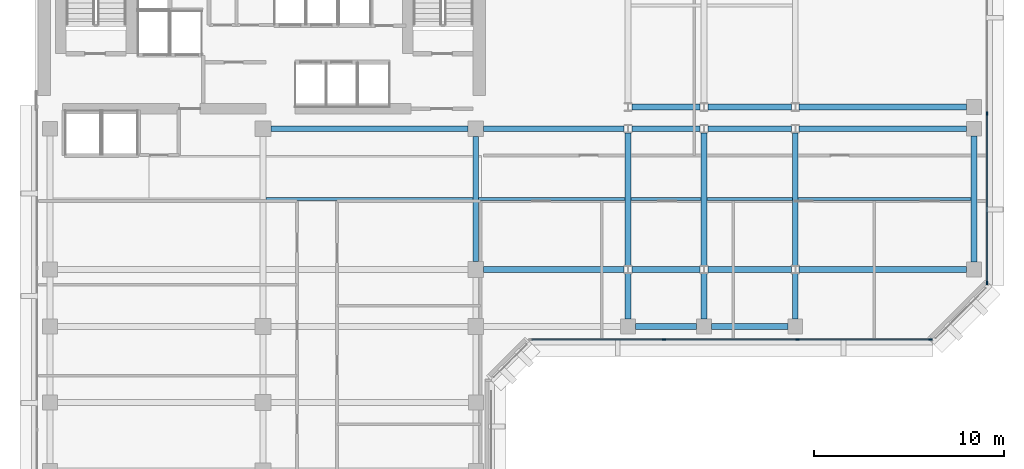
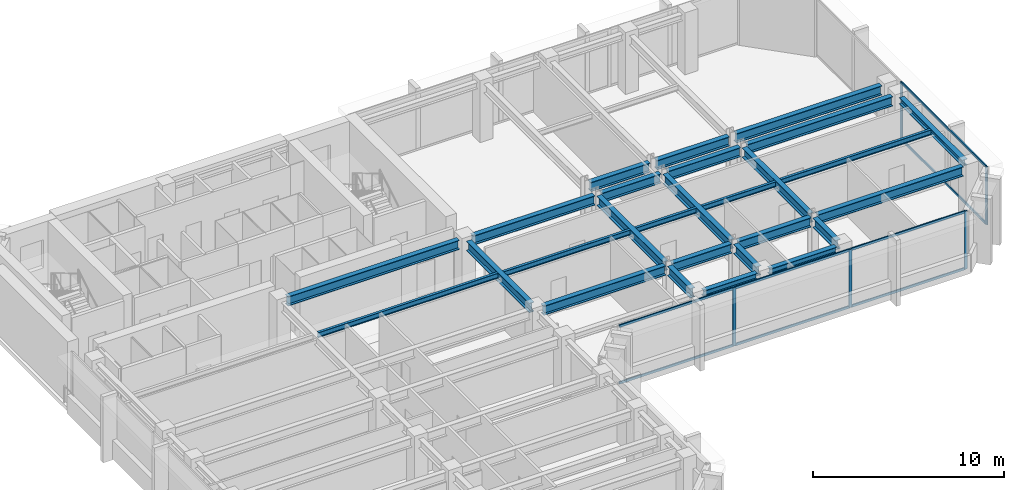
# One storey, part 3 of 12: 27 beams, 13 members, 2 elements without a shape of their own.
"""IFC4 building model written with IfcOpenShell, lengths in metres."""

import ifcopenshell
import ifcopenshell.guid

model = None  # the IFC model being written
_history = None  # IfcOwnerHistory: only IFC2X3 demands one
_inside = {}  # id of a spatial element -> (the spatial element, [elements in it])
_under = {}  # id of a project, library or spatial element -> (it, [spatial elements below it])
_declared = {}  # id of a project -> (the project, [libraries it declares])
_typed = {}  # id of a type object -> (the type object, [elements of that type])
_made_of = {}  # id of a material, layer set ... -> (it, [elements and type objects made of it])


def new_model(schema):
    """Start an empty IFC model of exactly this schema.

    Asked for "IFC4X3", IfcOpenShell would pick the latest addendum, in which some entities
    have other attributes; the version numbers below select the first issue.
    IFC2X3 requires an IfcOwnerHistory on every rooted entity: one is made here for all.
    """
    global model, _history
    if schema == "IFC4X3":
        model = ifcopenshell.file(schema_version=(4, 3, 0, 0))
    else:
        model = ifcopenshell.file(schema=schema)
    _inside.clear()
    _under.clear()
    _declared.clear()
    _typed.clear()
    _made_of.clear()
    _history = None
    if model.schema == "IFC2X3":
        org = make("IfcOrganization", Name="unknown")
        user = make(
            "IfcPersonAndOrganization",
            ThePerson=make("IfcPerson", FamilyName="unknown"),
            TheOrganization=org,
        )
        app = make(
            "IfcApplication",
            ApplicationDeveloper=org,
            Version="unknown",
            ApplicationFullName="unknown",
            ApplicationIdentifier="unknown",
        )
        _history = make(
            "IfcOwnerHistory",
            OwningUser=user,
            OwningApplication=app,
            ChangeAction="ADDED",
            CreationDate=0,
        )
    return model


def make(cls, **values):
    """One entity of the class cls with the attributes given. An attribute that is None is left unset."""
    return model.create_entity(
        cls, **{name: value for name, value in values.items() if value is not None}
    )


def rooted(cls, **values):
    """An entity with a GlobalId (a new one), such as an element, a storey or a relation."""
    return make(cls, GlobalId=ifcopenshell.guid.new(), OwnerHistory=_history, **values)


def si_unit(unit_type, name, prefix=None):
    """IfcSIUnit, for example si_unit("LENGTHUNIT", "METRE", prefix="MILLI")."""
    return make("IfcSIUnit", UnitType=unit_type, Prefix=prefix, Name=name)


def assignment(units):
    """IfcUnitAssignment: the units of a project."""
    return None if units is None else make("IfcUnitAssignment", Units=units)


def point(xyz):
    """IfcCartesianPoint."""
    return None if xyz is None else make("IfcCartesianPoint", Coordinates=xyz)


def direction(xyz):
    """IfcDirection."""
    return None if xyz is None else make("IfcDirection", DirectionRatios=xyz)


def frame(location, z_axis=None, x_axis=None):
    """IfcAxis2Placement3D, a coordinate frame: its origin and axes. An axis left out is left unset."""
    return make(
        "IfcAxis2Placement3D",
        Location=point(location),
        Axis=direction(z_axis),
        RefDirection=direction(x_axis),
    )


def frame_2d(location, x_axis=None):
    """IfcAxis2Placement2D, a coordinate frame in the plane: its origin and x axis."""
    return make(
        "IfcAxis2Placement2D", Location=point(location), RefDirection=direction(x_axis)
    )


def origin():
    """The frame at (0, 0, 0) with its axes left unset."""
    return frame((0.0, 0.0, 0.0))


def origin_2d():
    """The frame at (0, 0) in the plane with its x axis left unset."""
    return frame_2d((0.0, 0.0))


def place(relative_to, where):
    """IfcLocalPlacement: puts the frame where relative to a parent placement (None: the world)."""
    return make(
        "IfcLocalPlacement", PlacementRelTo=relative_to, RelativePlacement=where
    )


def context(
    kind, dimensions, precision=None, world=None, true_north=None, identifier=None
):
    """IfcGeometricRepresentationContext, for example the 3D "Model" context."""
    return make(
        "IfcGeometricRepresentationContext",
        ContextIdentifier=identifier,
        ContextType=kind,
        CoordinateSpaceDimension=dimensions,
        Precision=precision,
        WorldCoordinateSystem=world,
        TrueNorth=true_north,
    )


def subcontext(parent, identifier, kind, view, scale=None):
    """IfcGeometricRepresentationSubContext, for example "Body" below "Model"."""
    return make(
        "IfcGeometricRepresentationSubContext",
        ContextIdentifier=identifier,
        ContextType=kind,
        ParentContext=parent,
        TargetScale=scale,
        TargetView=view,
    )


def project(units=None, contexts=None):
    """IfcProject with its units and contexts."""
    return rooted(
        "IfcProject",
        Name="project",
        RepresentationContexts=contexts,
        UnitsInContext=assignment(units),
    )


def spatial(cls, under=None, at=None, **own):
    """A site, building, storey or space (cls), placed at a placement, below another one or the project."""
    s = rooted(cls, ObjectPlacement=at, **own)
    if under is not None:
        _under.setdefault(under.id(), (under, []))[1].append(s)
    return s


def profile(cls, at=None, kind="AREA", **sizes):
    """A parametric profile (cls). Its sizes go by their IFC names, for example OverallWidth=200.0."""
    return make(cls, ProfileType=kind, Position=at, **sizes)


def rectangle(**sizes):
    """IfcRectangleProfileDef."""
    return profile("IfcRectangleProfileDef", **sizes)


def i_section(**sizes):
    """IfcIShapeProfileDef."""
    return profile("IfcIShapeProfileDef", **sizes)


def extrude(swept, where, along, depth):
    """IfcExtrudedAreaSolid: the profile swept, set in the frame where, extruded along a direction by depth."""
    return make(
        "IfcExtrudedAreaSolid",
        SweptArea=swept,
        Position=where,
        ExtrudedDirection=direction(along),
        Depth=depth,
    )


def shape(context_of_items, identifier, shape_type, items):
    """IfcShapeRepresentation: the items that make up one representation, for example the "Body"."""
    return make(
        "IfcShapeRepresentation",
        ContextOfItems=context_of_items,
        RepresentationIdentifier=identifier,
        RepresentationType=shape_type,
        Items=items,
    )


def material(Name=None, Category=None):
    """IfcMaterial."""
    return make("IfcMaterial", Name=Name, Category=Category)


def layer(
    of_material, thickness, ventilated=None, Name=None, Category=None, Priority=None
):
    """IfcMaterialLayer: one layer of a wall or slab, of a material (None: an air gap)."""
    return make(
        "IfcMaterialLayer",
        Material=of_material,
        LayerThickness=thickness,
        IsVentilated=ventilated,
        Name=Name,
        Category=Category,
        Priority=Priority,
    )


def layer_set(layers, Name=None):
    """IfcMaterialLayerSet."""
    return make("IfcMaterialLayerSet", MaterialLayers=layers, LayerSetName=Name)


def material_profile(
    of_material, cross_section, Name=None, Category=None, Priority=None
):
    """IfcMaterialProfile: a cross section and its material."""
    return make(
        "IfcMaterialProfile",
        Name=Name,
        Material=of_material,
        Profile=cross_section,
        Priority=Priority,
        Category=Category,
    )


def profile_set(profiles, Name=None, composite=None):
    """IfcMaterialProfileSet."""
    return make(
        "IfcMaterialProfileSet",
        Name=Name,
        MaterialProfiles=profiles,
        CompositeProfile=composite,
    )


def made_of(thing, what):
    """Note that an element or type object is made of a material, layer set ...; save() writes the relation."""
    if what is not None:
        _made_of.setdefault(what.id(), (what, []))[1].append(thing)
    return thing


def type_object(cls, material=None, **own):
    """A type object (cls), such as IfcWallType, which elements share."""
    return made_of(rooted(cls, **own), material)


def element(
    cls,
    number,
    at=None,
    inside=None,
    cuts=None,
    type_object=None,
    material=None,
    context=None,
    identifier="Body",
    shape_type=None,
    held_by="IfcProductDefinitionShape",
    body=None,
    shapes=None,
    **own,
):
    """One element of the class cls, such as IfcWall. Its Tag is "e" and its number.

    at: its placement. inside: the storey or other place that contains it. cuts: it is an
    opening in that element (IfcRelVoidsElement). A single representation is given by context,
    identifier, shape_type and body (its items); several are given by shapes. held_by: the class
    of the entity that holds the representations. save() writes the other relations.
    """
    e = rooted(cls, Tag="e%d" % number, ObjectPlacement=at, **own)
    if body is not None:
        shapes = [shape(context, identifier, shape_type, body)]
    if shapes is not None:
        e.Representation = make(held_by, Representations=shapes)
    if inside is not None:
        _inside.setdefault(inside.id(), (inside, []))[1].append(e)
    if cuts is not None:
        rooted(
            "IfcRelVoidsElement", RelatingBuildingElement=cuts, RelatedOpeningElement=e
        )
    if type_object is not None:
        _typed.setdefault(type_object.id(), (type_object, []))[1].append(e)
    return made_of(e, material)


def aggregate(whole, parts):
    """IfcRelAggregates: a whole, such as a stair, and the parts it consists of."""
    return rooted("IfcRelAggregates", RelatingObject=whole, RelatedObjects=parts)


def save(model, path):
    """Write the relations noted so far, then the file.

    IfcRelAggregates (storeys below a building ...), IfcRelContainedInSpatialStructure (elements
    in a storey), IfcRelDefinesByType, IfcRelAssociatesMaterial and IfcRelDeclares: one each for
    every whole, place, type object, material and project.
    """
    for whole, parts in _under.values():
        aggregate(whole, parts)
    for where, things in _inside.values():
        rooted(
            "IfcRelContainedInSpatialStructure",
            RelatedElements=things,
            RelatingStructure=where,
        )
    for kind, things in _typed.values():
        rooted("IfcRelDefinesByType", RelatedObjects=things, RelatingType=kind)
    for what, things in _made_of.values():
        rooted("IfcRelAssociatesMaterial", RelatedObjects=things, RelatingMaterial=what)
    for by, libraries in _declared.values():
        rooted("IfcRelDeclares", RelatingContext=by, RelatedDefinitions=libraries)
    model.write(path)


model = new_model("IFC4")

# Units and contexts
model_context = context("Model", 3, precision=1e-05, world=origin(), true_north=direction((0.0, 1.0)))
body_context = subcontext(model_context, "Body", "Model", "MODEL_VIEW")
ifc_project = project(units=[si_unit("LENGTHUNIT", "METRE"), si_unit("AREAUNIT", "SQUARE_METRE"), si_unit("VOLUMEUNIT", "CUBIC_METRE"), si_unit("PLANEANGLEUNIT", "RADIAN"), si_unit("MASSUNIT", "GRAM", prefix="KILO")], contexts=[model_context])

# Site, building, storey
site_placement = place(None, origin())
site = spatial("IfcSite", under=ifc_project, at=site_placement, CompositionType="ELEMENT")
building_placement = place(site_placement, origin())
building = spatial("IfcBuilding", under=site, at=building_placement, Name="Kefirva Bronze Tower", CompositionType="ELEMENT")
storey_placement = place(building_placement, frame((0.0, 0.0, 211.199951171875)))
storey = spatial("IfcBuildingStorey", under=building, at=storey_placement, Name="L51", CompositionType="ELEMENT", Elevation=211.199951171875)

# Curtain wall, members
ifc_material_1 = material(Name="Bronze anodised aluminium", Category="aluminium")
ifc_layer = layer(ifc_material_1, 0.179931640625, Name="Bronze anodised aluminium")
ifc_layer_set = layer_set([ifc_layer], Name="Bronze anodised aluminium")
curtain_wall_type = type_object("IfcCurtainWallType", Name="Unitised Bronze Ribbon Curtain Wall Zone 3", PredefinedType="USERDEFINED", material=ifc_layer_set)
curtain_wall_1_placement = place(storey_placement, origin())
curtain_wall_1 = element("IfcCurtainWall", 1, at=curtain_wall_1_placement, inside=storey, type_object=curtain_wall_type, Name="L51 Curtain Wall 1", ObjectType="UNITISED CURTAIN WALL", PredefinedType="USERDEFINED")
ifc_material_profile_1 = material_profile(ifc_material_1, rectangle(XDim=0.074951171875, YDim=0.179931640625, at=origin_2d()), Name="ALU 75x180")
ifc_profile_set_1 = profile_set([ifc_material_profile_1], Name="Bronze anodised aluminium")
member_type_1 = type_object("IfcMemberType", Name="Bronze Mullion 75x180", PredefinedType="MULLION", material=ifc_profile_set_1)
member_1_placement = place(storey_placement, frame((33.0849609375, 22.1201171875, 0.0), z_axis=(0.0, 0.0, 1.0), x_axis=(0.0, 1.0, 0.0)))
member_1 = element("IfcMember", 2, at=member_1_placement, type_object=member_type_1, Name="CW-03 mullion 2", PredefinedType="MULLION", context=body_context, shape_type="SweptSolid", body=[
    extrude(rectangle(XDim=0.074951171875, YDim=0.179931640625, at=origin_2d()), origin(), (0.0, 0.0, 1.0), 3.7099609375),
])
member_2_placement = place(storey_placement, frame((40.114990234375, 22.1201171875, 0.0), z_axis=(0.0, 0.0, 1.0), x_axis=(0.0, 1.0, 0.0)))
member_2 = element("IfcMember", 3, at=member_2_placement, type_object=member_type_1, Name="CW-03 mullion 3", PredefinedType="MULLION", context=body_context, shape_type="SweptSolid", body=[
    extrude(rectangle(XDim=0.074951171875, YDim=0.179931640625, at=origin_2d()), origin(), (0.0, 0.0, 1.0), 3.7099609375),
])
member_3_placement = place(storey_placement, frame((47.107421875, 22.1201171875, 0.0), z_axis=(0.0, 0.0, 1.0), x_axis=(0.0, 1.0, 0.0)))
member_3 = element("IfcMember", 4, at=member_3_placement, type_object=member_type_1, Name="CW-03 mullion 4", PredefinedType="MULLION", context=body_context, shape_type="SweptSolid", body=[
    extrude(rectangle(XDim=0.074951171875, YDim=0.179931640625, at=origin_2d()), origin(), (0.0, 0.0, 1.0), 3.7099609375),
])

curtain_wall_2_placement = place(storey_placement, origin())
curtain_wall_2 = element("IfcCurtainWall", 5, at=curtain_wall_2_placement, inside=storey, type_object=curtain_wall_type, Name="L51 Curtain Wall 2", ObjectType="UNITISED CURTAIN WALL", PredefinedType="USERDEFINED")
member_4_placement = place(storey_placement, frame((50.080078125, 25.092529296875, 0.0), z_axis=(0.0, 0.0, 1.0), x_axis=(-1.0, 0.0, 0.0)))
member_4 = element("IfcMember", 6, at=member_4_placement, type_object=member_type_1, Name="CW-03 mullion 1", PredefinedType="MULLION", context=body_context, shape_type="SweptSolid", body=[
    extrude(rectangle(XDim=0.074951171875, YDim=0.179931640625, at=origin_2d()), origin(), (0.0, 0.0, 1.0), 3.7099609375),
])
member_5_placement = place(storey_placement, frame((50.080078125, 34.0, 0.0), z_axis=(0.0, 0.0, 1.0), x_axis=(-1.0, 0.0, 0.0)))
member_5 = element("IfcMember", 7, at=member_5_placement, type_object=member_type_1, Name="CW-03 mullion 2", PredefinedType="MULLION", context=body_context, shape_type="SweptSolid", body=[
    extrude(rectangle(XDim=0.074951171875, YDim=0.179931640625, at=origin_2d()), origin(), (0.0, 0.0, 1.0), 3.7099609375),
])

# Member
ifc_material_profile_2 = material_profile(ifc_material_1, rectangle(XDim=0.074951171875, YDim=0.14990234375, at=origin_2d()), Name="ALU 75x150")
ifc_profile_set_2 = profile_set([ifc_material_profile_2], Name="Bronze anodised aluminium")
member_type_2 = type_object("IfcMemberType", Name="Bronze Transom 75x150", PredefinedType="USERDEFINED", material=ifc_profile_set_2)
member_6_placement = place(storey_placement, frame((26.1298828125, 22.1201171875, 0.03759765625), z_axis=(1.0, 0.0, 0.0), x_axis=(0.0, 1.0, 0.0)))
member_6 = element("IfcMember", 8, at=member_6_placement, type_object=member_type_2, Name="CW-03 transom 1.1", ObjectType="TRANSOM", PredefinedType="USERDEFINED", context=body_context, shape_type="SweptSolid", body=[
    extrude(rectangle(XDim=0.074951171875, YDim=0.14990234375, at=origin_2d()), origin(), (0.0, 0.0, 1.0), 6.917724609375),
])

member_7_placement = place(storey_placement, frame((26.1298828125, 22.1201171875, 3.672607421875), z_axis=(1.0, 0.0, 0.0), x_axis=(0.0, 1.0, 0.0)))
member_7 = element("IfcMember", 9, at=member_7_placement, type_object=member_type_2, Name="CW-03 transom 1.2", ObjectType="TRANSOM", PredefinedType="USERDEFINED", context=body_context, shape_type="SweptSolid", body=[
    extrude(rectangle(XDim=0.074951171875, YDim=0.14990234375, at=origin_2d()), origin(), (0.0, 0.0, 1.0), 6.917724609375),
])

member_8_placement = place(storey_placement, frame((33.12255859375, 22.1201171875, 0.03759765625), z_axis=(1.0, 0.0, 0.0), x_axis=(0.0, 1.0, 0.0)))
member_8 = element("IfcMember", 10, at=member_8_placement, type_object=member_type_2, Name="CW-03 transom 2.1", ObjectType="TRANSOM", PredefinedType="USERDEFINED", context=body_context, shape_type="SweptSolid", body=[
    extrude(rectangle(XDim=0.074951171875, YDim=0.14990234375, at=origin_2d()), origin(), (0.0, 0.0, 1.0), 6.954833984375),
])

member_9_placement = place(storey_placement, frame((33.12255859375, 22.1201171875, 3.672607421875), z_axis=(1.0, 0.0, 0.0), x_axis=(0.0, 1.0, 0.0)))
member_9 = element("IfcMember", 11, at=member_9_placement, type_object=member_type_2, Name="CW-03 transom 2.2", ObjectType="TRANSOM", PredefinedType="USERDEFINED", context=body_context, shape_type="SweptSolid", body=[
    extrude(rectangle(XDim=0.074951171875, YDim=0.14990234375, at=origin_2d()), origin(), (0.0, 0.0, 1.0), 6.954833984375),
])

member_10_placement = place(storey_placement, frame((40.152587890625, 22.1201171875, 0.03759765625), z_axis=(1.0, 0.0, 0.0), x_axis=(0.0, 1.0, 0.0)))
member_10 = element("IfcMember", 12, at=member_10_placement, type_object=member_type_2, Name="CW-03 transom 3.1", ObjectType="TRANSOM", PredefinedType="USERDEFINED", context=body_context, shape_type="SweptSolid", body=[
    extrude(rectangle(XDim=0.074951171875, YDim=0.14990234375, at=origin_2d()), origin(), (0.0, 0.0, 1.0), 6.91748046875),
])

member_11_placement = place(storey_placement, frame((40.152587890625, 22.1201171875, 3.672607421875), z_axis=(1.0, 0.0, 0.0), x_axis=(0.0, 1.0, 0.0)))
member_11 = element("IfcMember", 13, at=member_11_placement, type_object=member_type_2, Name="CW-03 transom 3.2", ObjectType="TRANSOM", PredefinedType="USERDEFINED", context=body_context, shape_type="SweptSolid", body=[
    extrude(rectangle(XDim=0.074951171875, YDim=0.14990234375, at=origin_2d()), origin(), (0.0, 0.0, 1.0), 6.91748046875),
])

aggregate(curtain_wall_1, [member_1, member_2, member_3, member_6, member_7, member_8, member_9, member_10, member_11])

member_12_placement = place(storey_placement, frame((50.080078125, 25.1298828125, 0.03759765625), z_axis=(0.0, 1.0, 0.0), x_axis=(-1.0, 0.0, 0.0)))
member_12 = element("IfcMember", 14, at=member_12_placement, type_object=member_type_2, Name="CW-03 transom 1.1", ObjectType="TRANSOM", PredefinedType="USERDEFINED", context=body_context, shape_type="SweptSolid", body=[
    extrude(rectangle(XDim=0.074951171875, YDim=0.14990234375, at=origin_2d()), origin(), (0.0, 0.0, 1.0), 8.83251953125),
])

member_13_placement = place(storey_placement, frame((50.080078125, 25.1298828125, 3.672607421875), z_axis=(0.0, 1.0, 0.0), x_axis=(-1.0, 0.0, 0.0)))
member_13 = element("IfcMember", 15, at=member_13_placement, type_object=member_type_2, Name="CW-03 transom 1.2", ObjectType="TRANSOM", PredefinedType="USERDEFINED", context=body_context, shape_type="SweptSolid", body=[
    extrude(rectangle(XDim=0.074951171875, YDim=0.14990234375, at=origin_2d()), origin(), (0.0, 0.0, 1.0), 8.83251953125),
])

aggregate(curtain_wall_2, [member_4, member_5, member_12, member_13])

# Beams
ifc_material_2 = material(Name="Steel S355", Category="steel")
ifc_material_profile_3 = material_profile(ifc_material_2, i_section(OverallWidth=0.159912109375, OverallDepth=0.330078125, WebThickness=0.007568359375, FlangeThickness=0.011474609375, at=origin_2d()), Name="IPE 330")
ifc_profile_set_3 = profile_set([ifc_material_profile_3], Name="Steel S355")
beam_type_1 = type_object("IfcBeamType", Name="Steel Floor Joist IPE 330", PredefinedType="JOIST", material=ifc_profile_set_3)
beam_1_placement = place(storey_placement, frame((12.14990234375, 29.5, 3.545166015625), z_axis=(1.0, 0.0, 0.0), x_axis=(0.0, 1.0, 0.0)))
element("IfcBeam", 16, at=beam_1_placement, inside=storey, type_object=beam_type_1, Name="L51 JST-L51-12-295", PredefinedType="JOIST", context=body_context, shape_type="SweptSolid", body=[
    extrude(i_section(OverallWidth=0.159912109375, OverallDepth=0.330078125, WebThickness=0.007568359375, FlangeThickness=0.011474609375, at=origin_2d()), origin(), (0.0, 0.0, 1.0), 10.900146484375),
])
beam_2_placement = place(storey_placement, frame((23.35009765625, 29.5, 3.51513671875), z_axis=(1.0, 0.0, 0.0), x_axis=(0.0, 1.0, 0.0)))
element("IfcBeam", 17, at=beam_2_placement, inside=storey, type_object=beam_type_1, Name="L51 JST-L51-23-295", PredefinedType="JOIST", context=body_context, shape_type="SweptSolid", body=[
    extrude(i_section(OverallWidth=0.159912109375, OverallDepth=0.330078125, WebThickness=0.007568359375, FlangeThickness=0.011474609375, at=origin_2d()), origin(), (0.0, 0.0, 1.0), 7.699951171875),
])
beam_3_placement = place(storey_placement, frame((31.35009765625, 29.5, 3.51513671875), z_axis=(1.0, 0.0, 0.0), x_axis=(0.0, 1.0, 0.0)))
element("IfcBeam", 18, at=beam_3_placement, inside=storey, type_object=beam_type_1, Name="L51 JST-L51-31-295", PredefinedType="JOIST", context=body_context, shape_type="SweptSolid", body=[
    extrude(i_section(OverallWidth=0.159912109375, OverallDepth=0.330078125, WebThickness=0.007568359375, FlangeThickness=0.011474609375, at=origin_2d()), origin(), (0.0, 0.0, 1.0), 3.699951171875),
])
beam_4_placement = place(storey_placement, frame((35.35009765625, 29.5, 3.51513671875), z_axis=(1.0, 0.0, 0.0), x_axis=(0.0, 1.0, 0.0)))
element("IfcBeam", 19, at=beam_4_placement, inside=storey, type_object=beam_type_1, Name="L51 JST-L51-35-295", PredefinedType="JOIST", context=body_context, shape_type="SweptSolid", body=[
    extrude(i_section(OverallWidth=0.159912109375, OverallDepth=0.330078125, WebThickness=0.007568359375, FlangeThickness=0.011474609375, at=origin_2d()), origin(), (0.0, 0.0, 1.0), 4.5),
])
beam_5_placement = place(storey_placement, frame((40.14990234375, 29.5, 3.545166015625), z_axis=(1.0, 0.0, 0.0), x_axis=(0.0, 1.0, 0.0)))
element("IfcBeam", 20, at=beam_5_placement, inside=storey, type_object=beam_type_1, Name="L51 JST-L51-40-295", PredefinedType="JOIST", context=body_context, shape_type="SweptSolid", body=[
    extrude(i_section(OverallWidth=0.159912109375, OverallDepth=0.330078125, WebThickness=0.007568359375, FlangeThickness=0.011474609375, at=origin_2d()), origin(), (0.0, 0.0, 1.0), 9.10009765625),
])
ifc_material_profile_4 = material_profile(ifc_material_2, i_section(OverallWidth=0.300048828125, OverallDepth=0.60009765625, WebThickness=0.015380859375, FlangeThickness=0.030029296875, at=origin_2d()), Name="HEB 600")
ifc_profile_set_4 = profile_set([ifc_material_profile_4], Name="Steel S355")
beam_type_2 = type_object("IfcBeamType", Name="Steel Girder HEB 600", PredefinedType="USERDEFINED", material=ifc_profile_set_4)
beam_6_placement = place(storey_placement, frame((23.610107421875, 25.800048828125, 3.380126953125), z_axis=(1.0, 0.0, 0.0), x_axis=(0.0, 1.0, 0.0)))
element("IfcBeam", 21, at=beam_6_placement, inside=storey, type_object=beam_type_2, Name="L51 BM-L51-EW-23-258", ObjectType="GIRDER", PredefinedType="USERDEFINED", context=body_context, shape_type="SweptSolid", body=[
    extrude(i_section(OverallWidth=0.300048828125, OverallDepth=0.60009765625, WebThickness=0.015380859375, FlangeThickness=0.030029296875, at=origin_2d()), origin(), (0.0, 0.0, 1.0), 7.3837890625),
])
beam_7_placement = place(storey_placement, frame((31.406005859375, 25.800048828125, 3.380126953125), z_axis=(1.0, 0.0, 0.0), x_axis=(0.0, 1.0, 0.0)))
element("IfcBeam", 22, at=beam_7_placement, inside=storey, type_object=beam_type_2, Name="L51 BM-L51-EW-31-258", ObjectType="GIRDER", PredefinedType="USERDEFINED", context=body_context, shape_type="SweptSolid", body=[
    extrude(i_section(OverallWidth=0.300048828125, OverallDepth=0.60009765625, WebThickness=0.015380859375, FlangeThickness=0.030029296875, at=origin_2d()), origin(), (0.0, 0.0, 1.0), 3.587890625),
])
beam_8_placement = place(storey_placement, frame((35.406005859375, 25.800048828125, 3.380126953125), z_axis=(1.0, 0.0, 0.0), x_axis=(0.0, 1.0, 0.0)))
element("IfcBeam", 23, at=beam_8_placement, inside=storey, type_object=beam_type_2, Name="L51 BM-L51-EW-35-258", ObjectType="GIRDER", PredefinedType="USERDEFINED", context=body_context, shape_type="SweptSolid", body=[
    extrude(i_section(OverallWidth=0.300048828125, OverallDepth=0.60009765625, WebThickness=0.015380859375, FlangeThickness=0.030029296875, at=origin_2d()), origin(), (0.0, 0.0, 1.0), 4.387939453125),
])
beam_9_placement = place(storey_placement, frame((40.2060546875, 25.800048828125, 3.41015625), z_axis=(1.0, 0.0, 0.0), x_axis=(0.0, 1.0, 0.0)))
element("IfcBeam", 24, at=beam_9_placement, inside=storey, type_object=beam_type_2, Name="L51 BM-L51-EW-40-258", ObjectType="GIRDER", PredefinedType="USERDEFINED", context=body_context, shape_type="SweptSolid", body=[
    extrude(i_section(OverallWidth=0.300048828125, OverallDepth=0.60009765625, WebThickness=0.015380859375, FlangeThickness=0.030029296875, at=origin_2d()), origin(), (0.0, 0.0, 1.0), 8.803955078125),
])
beam_10_placement = place(storey_placement, frame((12.409912109375, 33.199951171875, 3.41015625), z_axis=(1.0, 0.0, 0.0), x_axis=(0.0, 1.0, 0.0)))
element("IfcBeam", 25, at=beam_10_placement, inside=storey, type_object=beam_type_2, Name="L51 BM-L51-EW-12-332", ObjectType="GIRDER", PredefinedType="USERDEFINED", context=body_context, shape_type="SweptSolid", body=[
    extrude(i_section(OverallWidth=0.300048828125, OverallDepth=0.60009765625, WebThickness=0.015380859375, FlangeThickness=0.030029296875, at=origin_2d()), origin(), (0.0, 0.0, 1.0), 10.380126953125),
])
beam_11_placement = place(storey_placement, frame((23.610107421875, 33.199951171875, 3.380126953125), z_axis=(1.0, 0.0, 0.0), x_axis=(0.0, 1.0, 0.0)))
element("IfcBeam", 26, at=beam_11_placement, inside=storey, type_object=beam_type_2, Name="L51 BM-L51-EW-23-332", ObjectType="GIRDER", PredefinedType="USERDEFINED", context=body_context, shape_type="SweptSolid", body=[
    extrude(i_section(OverallWidth=0.300048828125, OverallDepth=0.60009765625, WebThickness=0.015380859375, FlangeThickness=0.030029296875, at=origin_2d()), origin(), (0.0, 0.0, 1.0), 7.3837890625),
])
beam_12_placement = place(storey_placement, frame((31.406005859375, 33.199951171875, 3.380126953125), z_axis=(1.0, 0.0, 0.0), x_axis=(0.0, 1.0, 0.0)))
element("IfcBeam", 27, at=beam_12_placement, inside=storey, type_object=beam_type_2, Name="L51 BM-L51-EW-31-332", ObjectType="GIRDER", PredefinedType="USERDEFINED", context=body_context, shape_type="SweptSolid", body=[
    extrude(i_section(OverallWidth=0.300048828125, OverallDepth=0.60009765625, WebThickness=0.015380859375, FlangeThickness=0.030029296875, at=origin_2d()), origin(), (0.0, 0.0, 1.0), 3.587890625),
])
beam_13_placement = place(storey_placement, frame((35.406005859375, 33.199951171875, 3.380126953125), z_axis=(1.0, 0.0, 0.0), x_axis=(0.0, 1.0, 0.0)))
element("IfcBeam", 28, at=beam_13_placement, inside=storey, type_object=beam_type_2, Name="L51 BM-L51-EW-35-332", ObjectType="GIRDER", PredefinedType="USERDEFINED", context=body_context, shape_type="SweptSolid", body=[
    extrude(i_section(OverallWidth=0.300048828125, OverallDepth=0.60009765625, WebThickness=0.015380859375, FlangeThickness=0.030029296875, at=origin_2d()), origin(), (0.0, 0.0, 1.0), 4.387939453125),
])
beam_14_placement = place(storey_placement, frame((40.2060546875, 33.199951171875, 3.41015625), z_axis=(1.0, 0.0, 0.0), x_axis=(0.0, 1.0, 0.0)))
element("IfcBeam", 29, at=beam_14_placement, inside=storey, type_object=beam_type_2, Name="L51 BM-L51-EW-40-332", ObjectType="GIRDER", PredefinedType="USERDEFINED", context=body_context, shape_type="SweptSolid", body=[
    extrude(i_section(OverallWidth=0.300048828125, OverallDepth=0.60009765625, WebThickness=0.015380859375, FlangeThickness=0.030029296875, at=origin_2d()), origin(), (0.0, 0.0, 1.0), 8.803955078125),
])
beam_15_placement = place(storey_placement, frame((31.406005859375, 34.35009765625, 3.380126953125), z_axis=(1.0, 0.0, 0.0), x_axis=(0.0, 1.0, 0.0)))
element("IfcBeam", 30, at=beam_15_placement, inside=storey, type_object=beam_type_2, Name="L51 BM-L51-EW-31-344", ObjectType="GIRDER", PredefinedType="USERDEFINED", context=body_context, shape_type="SweptSolid", body=[
    extrude(i_section(OverallWidth=0.300048828125, OverallDepth=0.60009765625, WebThickness=0.015380859375, FlangeThickness=0.030029296875, at=origin_2d()), origin(), (0.0, 0.0, 1.0), 3.587890625),
])
beam_16_placement = place(storey_placement, frame((35.406005859375, 34.35009765625, 3.380126953125), z_axis=(1.0, 0.0, 0.0), x_axis=(0.0, 1.0, 0.0)))
element("IfcBeam", 31, at=beam_16_placement, inside=storey, type_object=beam_type_2, Name="L51 BM-L51-EW-35-344", ObjectType="GIRDER", PredefinedType="USERDEFINED", context=body_context, shape_type="SweptSolid", body=[
    extrude(i_section(OverallWidth=0.300048828125, OverallDepth=0.60009765625, WebThickness=0.015380859375, FlangeThickness=0.030029296875, at=origin_2d()), origin(), (0.0, 0.0, 1.0), 4.387939453125),
])
beam_17_placement = place(storey_placement, frame((40.2060546875, 34.35009765625, 3.41015625), z_axis=(1.0, 0.0, 0.0), x_axis=(0.0, 1.0, 0.0)))
element("IfcBeam", 32, at=beam_17_placement, inside=storey, type_object=beam_type_2, Name="L51 BM-L51-EW-40-344", ObjectType="GIRDER", PredefinedType="USERDEFINED", context=body_context, shape_type="SweptSolid", body=[
    extrude(i_section(OverallWidth=0.300048828125, OverallDepth=0.60009765625, WebThickness=0.015380859375, FlangeThickness=0.030029296875, at=origin_2d()), origin(), (0.0, 0.0, 1.0), 8.803955078125),
])
beam_18_placement = place(storey_placement, frame((23.199951171875, 26.2099609375, 3.41015625), z_axis=(0.0, 1.0, 0.0), x_axis=(-1.0, 0.0, 0.0)))
element("IfcBeam", 33, at=beam_18_placement, inside=storey, type_object=beam_type_2, Name="L51 BM-L51-NS-232-25", ObjectType="GIRDER", PredefinedType="USERDEFINED", context=body_context, shape_type="SweptSolid", body=[
    extrude(i_section(OverallWidth=0.300048828125, OverallDepth=0.60009765625, WebThickness=0.015380859375, FlangeThickness=0.030029296875, at=origin_2d()), origin(), (0.0, 0.0, 1.0), 6.580078125),
])
beam_19_placement = place(storey_placement, frame((31.199951171875, 23.18994140625, 3.380126953125), z_axis=(0.0, 1.0, 0.0), x_axis=(-1.0, 0.0, 0.0)))
element("IfcBeam", 34, at=beam_19_placement, inside=storey, type_object=beam_type_2, Name="L51 BM-L51-NS-312-22", ObjectType="GIRDER", PredefinedType="USERDEFINED", context=body_context, shape_type="SweptSolid", body=[
    extrude(i_section(OverallWidth=0.300048828125, OverallDepth=0.60009765625, WebThickness=0.015380859375, FlangeThickness=0.030029296875, at=origin_2d()), origin(), (0.0, 0.0, 1.0), 2.392578125),
])
beam_20_placement = place(storey_placement, frame((31.199951171875, 26.017578125, 3.380126953125), z_axis=(0.0, 1.0, 0.0), x_axis=(-1.0, 0.0, 0.0)))
element("IfcBeam", 35, at=beam_20_placement, inside=storey, type_object=beam_type_2, Name="L51 BM-L51-NS-312-25", ObjectType="GIRDER", PredefinedType="USERDEFINED", context=body_context, shape_type="SweptSolid", body=[
    extrude(i_section(OverallWidth=0.300048828125, OverallDepth=0.60009765625, WebThickness=0.015380859375, FlangeThickness=0.030029296875, at=origin_2d()), origin(), (0.0, 0.0, 1.0), 6.96484375),
])
beam_21_placement = place(storey_placement, frame((35.199951171875, 23.18994140625, 3.380126953125), z_axis=(0.0, 1.0, 0.0), x_axis=(-1.0, 0.0, 0.0)))
element("IfcBeam", 36, at=beam_21_placement, inside=storey, type_object=beam_type_2, Name="L51 BM-L51-NS-352-22", ObjectType="GIRDER", PredefinedType="USERDEFINED", context=body_context, shape_type="SweptSolid", body=[
    extrude(i_section(OverallWidth=0.300048828125, OverallDepth=0.60009765625, WebThickness=0.015380859375, FlangeThickness=0.030029296875, at=origin_2d()), origin(), (0.0, 0.0, 1.0), 2.392578125),
])
beam_22_placement = place(storey_placement, frame((35.199951171875, 26.017578125, 3.380126953125), z_axis=(0.0, 1.0, 0.0), x_axis=(-1.0, 0.0, 0.0)))
element("IfcBeam", 37, at=beam_22_placement, inside=storey, type_object=beam_type_2, Name="L51 BM-L51-NS-352-25", ObjectType="GIRDER", PredefinedType="USERDEFINED", context=body_context, shape_type="SweptSolid", body=[
    extrude(i_section(OverallWidth=0.300048828125, OverallDepth=0.60009765625, WebThickness=0.015380859375, FlangeThickness=0.030029296875, at=origin_2d()), origin(), (0.0, 0.0, 1.0), 6.96484375),
])
beam_23_placement = place(storey_placement, frame((40.0, 23.18994140625, 3.380126953125), z_axis=(0.0, 1.0, 0.0), x_axis=(-1.0, 0.0, 0.0)))
element("IfcBeam", 38, at=beam_23_placement, inside=storey, type_object=beam_type_2, Name="L51 BM-L51-NS-400-22", ObjectType="GIRDER", PredefinedType="USERDEFINED", context=body_context, shape_type="SweptSolid", body=[
    extrude(i_section(OverallWidth=0.300048828125, OverallDepth=0.60009765625, WebThickness=0.015380859375, FlangeThickness=0.030029296875, at=origin_2d()), origin(), (0.0, 0.0, 1.0), 2.392578125),
])
beam_24_placement = place(storey_placement, frame((40.0, 26.017578125, 3.380126953125), z_axis=(0.0, 1.0, 0.0), x_axis=(-1.0, 0.0, 0.0)))
element("IfcBeam", 39, at=beam_24_placement, inside=storey, type_object=beam_type_2, Name="L51 BM-L51-NS-400-25", ObjectType="GIRDER", PredefinedType="USERDEFINED", context=body_context, shape_type="SweptSolid", body=[
    extrude(i_section(OverallWidth=0.300048828125, OverallDepth=0.60009765625, WebThickness=0.015380859375, FlangeThickness=0.030029296875, at=origin_2d()), origin(), (0.0, 0.0, 1.0), 6.96484375),
])
ifc_material_profile_5 = material_profile(ifc_material_2, i_section(OverallWidth=0.300048828125, OverallDepth=0.39990234375, WebThickness=0.013427734375, FlangeThickness=0.02392578125, at=origin_2d()), Name="HEB 400")
ifc_profile_set_5 = profile_set([ifc_material_profile_5], Name="Steel S355")
beam_type_3 = type_object("IfcBeamType", Name="Steel Spandrel HEB 400 Ext", PredefinedType="SPANDREL", material=ifc_profile_set_5)
beam_25_placement = place(storey_placement, frame((31.590087890625, 22.800048828125, 3.47998046875), z_axis=(1.0, 0.0, 0.0), x_axis=(0.0, 1.0, 0.0)))
element("IfcBeam", 40, at=beam_25_placement, inside=storey, type_object=beam_type_3, Name="L51 BM-L51-EW-31-228", PredefinedType="SPANDREL", context=body_context, shape_type="SweptSolid", body=[
    extrude(i_section(OverallWidth=0.300048828125, OverallDepth=0.39990234375, WebThickness=0.013427734375, FlangeThickness=0.02392578125, at=origin_2d()), origin(), (0.0, 0.0, 1.0), 3.219970703125),
])
beam_26_placement = place(storey_placement, frame((35.590087890625, 22.800048828125, 3.47998046875), z_axis=(1.0, 0.0, 0.0), x_axis=(0.0, 1.0, 0.0)))
element("IfcBeam", 41, at=beam_26_placement, inside=storey, type_object=beam_type_3, Name="L51 BM-L51-EW-35-228", PredefinedType="SPANDREL", context=body_context, shape_type="SweptSolid", body=[
    extrude(i_section(OverallWidth=0.300048828125, OverallDepth=0.39990234375, WebThickness=0.013427734375, FlangeThickness=0.02392578125, at=origin_2d()), origin(), (0.0, 0.0, 1.0), 4.02001953125),
])
beam_27_placement = place(storey_placement, frame((49.39990234375, 26.18994140625, 3.510009765625), z_axis=(0.0, 1.0, 0.0), x_axis=(-1.0, 0.0, 0.0)))
element("IfcBeam", 42, at=beam_27_placement, inside=storey, type_object=beam_type_3, Name="L51 BM-L51-NS-494-25", PredefinedType="SPANDREL", context=body_context, shape_type="SweptSolid", body=[
    extrude(i_section(OverallWidth=0.300048828125, OverallDepth=0.39990234375, WebThickness=0.013427734375, FlangeThickness=0.02392578125, at=origin_2d()), origin(), (0.0, 0.0, 1.0), 6.6201171875),
])

save(model, "model.ifc")
